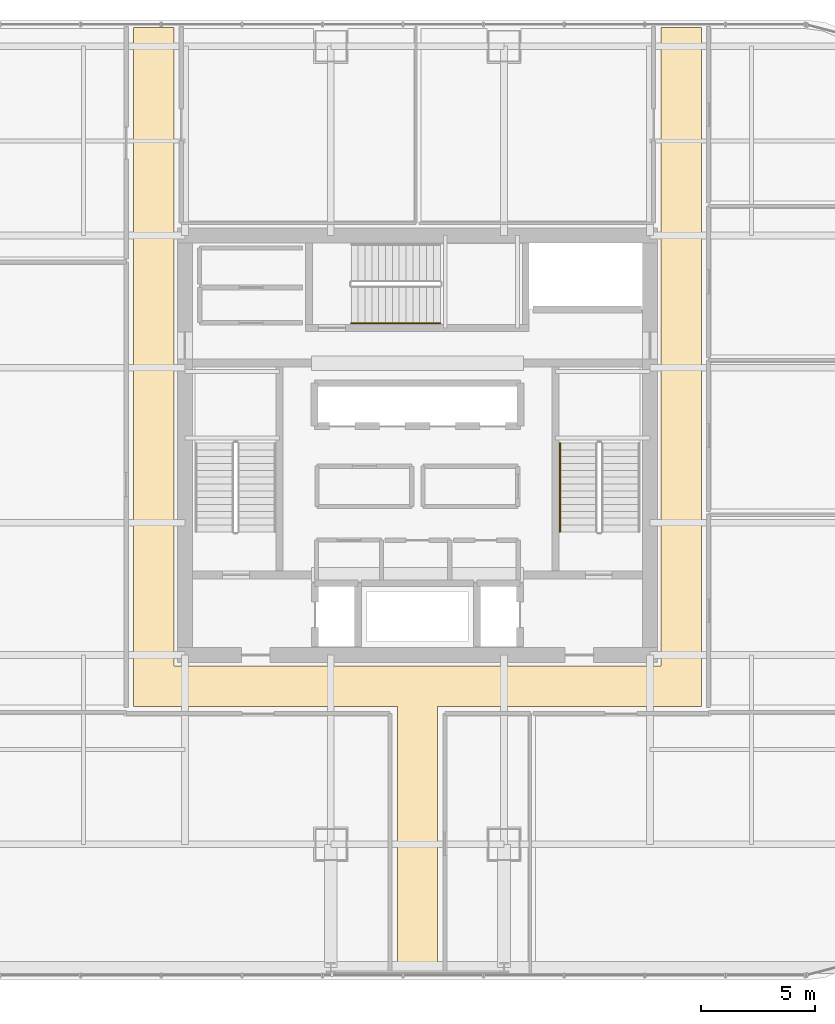
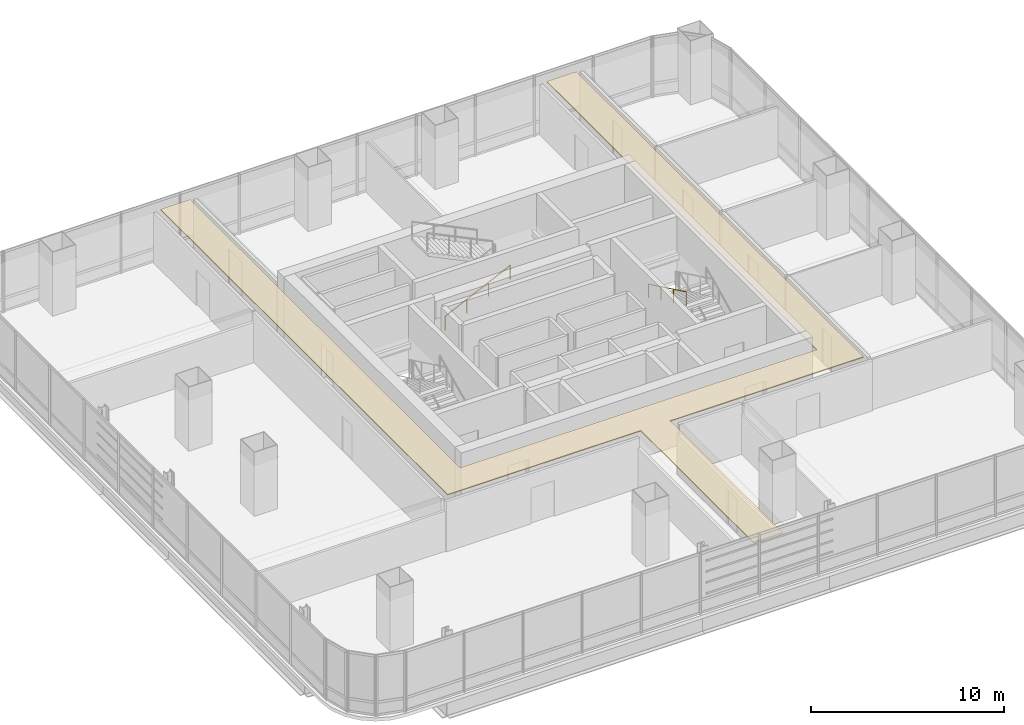
# One storey, part 35 of 37: 2 railings, 1 covering.
"""IFC4 building model written with IfcOpenShell, lengths in metres."""

from ifc_helpers import new_model, si_unit, direction, frame, origin, origin_2d, place, context, subcontext, project, spatial, polyline, circle, outline, extrude, material, layer, layer_set, type_object, element, save


model = new_model("IFC4")

# Units and contexts
model_context = context("Model", 3, precision=1e-05, world=origin(), true_north=direction((0.0, 1.0)))
body_context = subcontext(model_context, "Body", "Model", "MODEL_VIEW")
ifc_project = project(units=[si_unit("LENGTHUNIT", "METRE"), si_unit("AREAUNIT", "SQUARE_METRE"), si_unit("VOLUMEUNIT", "CUBIC_METRE"), si_unit("PLANEANGLEUNIT", "RADIAN"), si_unit("MASSUNIT", "GRAM", prefix="KILO")], contexts=[model_context])

# Site, building, storey
site_placement = place(None, origin())
site = spatial("IfcSite", under=ifc_project, at=site_placement, CompositionType="ELEMENT")
building_placement = place(site_placement, origin())
building = spatial("IfcBuilding", under=site, at=building_placement, Name="Punatoya Terracotta Tower", CompositionType="ELEMENT")
storey_placement = place(building_placement, frame((0.0, 0.0, 192.449951171875)))
storey = spatial("IfcBuildingStorey", under=building, at=storey_placement, Name="L45", CompositionType="ELEMENT", Elevation=192.449951171875)

# Covering
ifc_material_1 = material(Name="Acoustic Mineral Fibre Ceiling")
ifc_layer = layer(ifc_material_1, 0.06005859375)
ifc_layer_set = layer_set([ifc_layer], Name="Acoustic Mineral Fibre Ceiling")
covering_type = type_object("IfcCoveringType", Name="COV-CEIL-60", PredefinedType="CEILING", material=ifc_layer_set)
covering_placement = place(storey_placement, frame((0.0, 0.0, 3.219970703125)))
element("IfcCovering", 1, at=covering_placement, inside=storey, type_object=covering_type, Name="L45 Central Spine Circulation Corridor Acoustic Ceiling", PredefinedType="CEILING", context=body_context, shape_type="SweptSolid", body=[
    extrude(outline(polyline([(12.449951171875, -11.449951171875), (12.449951171875, 18.330078125), (10.679931640625, 18.330078125), (10.679931640625, -9.679931640625), (-10.679931640625, -9.679931640625), (-10.679931640625, 18.330078125), (-12.449951171875, 18.330078125), (-12.449951171875, -11.449951171875), (-0.8798828125, -11.449951171875), (-0.8798828125, -23.1298828125), (0.8798828125, -23.1298828125), (0.8798828125, -11.449951171875), (12.449951171875, -11.449951171875)])), origin(), (0.0, 0.0, 1.0), 0.06005859375),
])

# Railings
ifc_material_2 = material(Name="Steel S355", Category="steel")
railing_type = type_object("IfcRailingType", Name="RLG-HND-900", PredefinedType="HANDRAIL", material=ifc_material_2)
railing_1_placement = place(storey_placement, frame((6.25, 0.10009765625, 2.169677734375)))
element("IfcRailing", 2, at=railing_1_placement, inside=storey, type_object=railing_type, Name="L45 ST-2 stair handrail 2", PredefinedType="HANDRAIL", context=body_context, shape_type="SweptSolid", body=[
    extrude(circle(Radius=0.02392578125, at=origin_2d()), frame((0.0, 0.0, 0.8759765625), z_axis=(0.0, -0.900773802044, 0.434288564841), x_axis=(1.0, 0.0, 0.0)), (0.0, 0.0, 1.0), 4.329833984375),
    extrude(circle(Radius=0.02099609375, at=origin_2d()), origin(), (0.0, 0.0, 1.0), 0.851806640625),
    extrude(circle(Radius=0.02099609375, at=origin_2d()), frame((0.0, -1.300048828125, 0.626708984375)), (0.0, 0.0, 1.0), 0.851806640625),
    extrude(circle(Radius=0.02099609375, at=origin_2d()), frame((0.0, -2.60009765625, 1.253662109375)), (0.0, 0.0, 1.0), 0.851806640625),
    extrude(circle(Radius=0.02099609375, at=origin_2d()), frame((0.0, -3.900146484375, 1.88037109375)), (0.0, 0.0, 1.0), 0.851806640625),
])
railing_2_placement = place(storey_placement, frame((-2.89990234375, 5.35009765625, 0.144775390625)))
element("IfcRailing", 3, at=railing_2_placement, inside=storey, type_object=railing_type, Name="L45 ST-3 stair handrail 1", PredefinedType="HANDRAIL", context=body_context, shape_type="SweptSolid", body=[
    extrude(circle(Radius=0.02392578125, at=origin_2d()), frame((0.0, 0.0, 0.8759765625), z_axis=(0.900763166376, 0.0, 0.434310623978), x_axis=(0.0, 1.0, 0.0)), (0.0, 0.0, 1.0), 4.32958984375),
    extrude(circle(Radius=0.02099609375, at=origin_2d()), origin(), (0.0, 0.0, 1.0), 0.851806640625),
    extrude(circle(Radius=0.02099609375, at=origin_2d()), frame((1.300048828125, 0.0, 0.626708984375)), (0.0, 0.0, 1.0), 0.851806640625),
    extrude(circle(Radius=0.02099609375, at=origin_2d()), frame((2.599853515625, 0.0, 1.253662109375)), (0.0, 0.0, 1.0), 0.851806640625),
    extrude(circle(Radius=0.02099609375, at=origin_2d()), frame((3.89990234375, 0.0, 1.88037109375)), (0.0, 0.0, 1.0), 0.851806640625),
])

save(model, "model.ifc")
